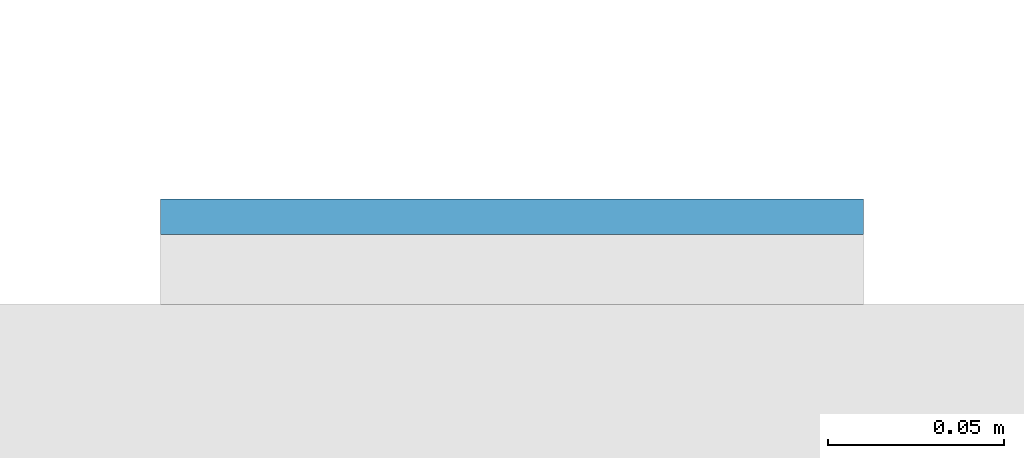
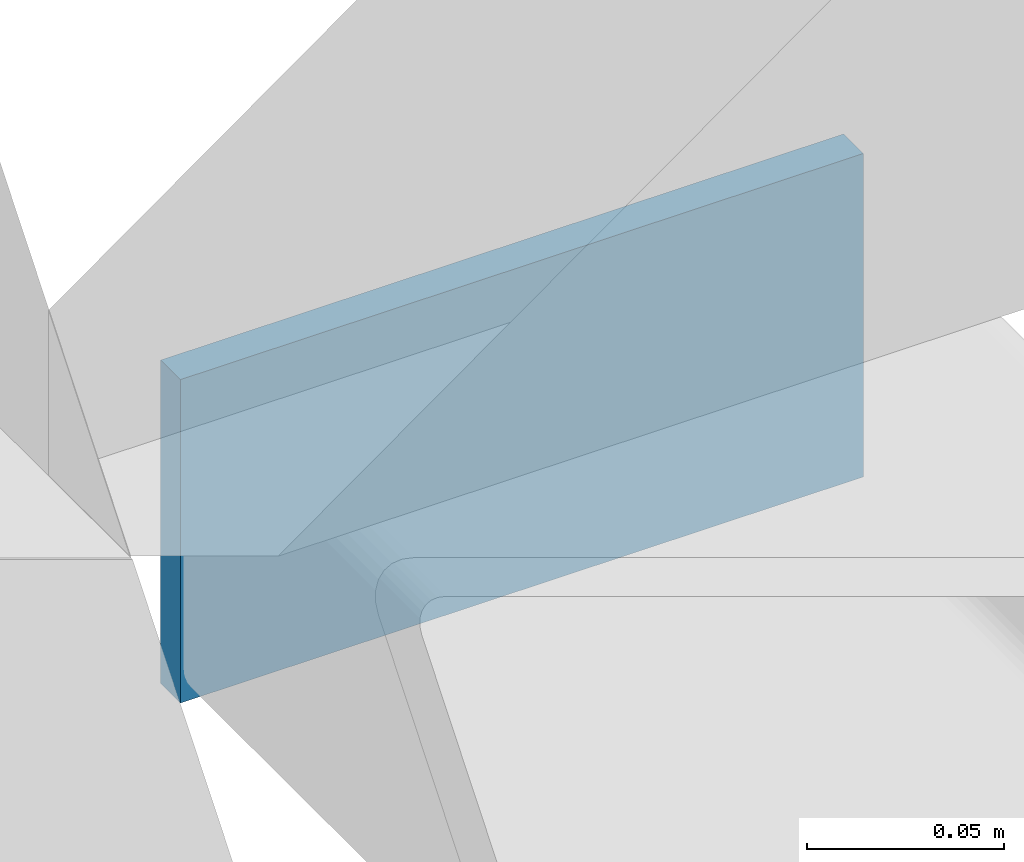
# One storey, part 11 of 21: 1 plate.
"""IFC4 building model written with IfcOpenShell, lengths in metres."""

from ifc_helpers import new_model, si_unit, direction, frame, origin, origin_2d, place, context, subcontext, project, spatial, rectangle, extrude, material, layer, layer_set, type_object, element, save


model = new_model("IFC4")

# Units and contexts
model_context = context("Model", 3, precision=1e-05, world=origin(), true_north=direction((0.0, 1.0)))
body_context = subcontext(model_context, "Body", "Model", "MODEL_VIEW")
ifc_project = project(units=[si_unit("LENGTHUNIT", "METRE"), si_unit("AREAUNIT", "SQUARE_METRE"), si_unit("VOLUMEUNIT", "CUBIC_METRE"), si_unit("PLANEANGLEUNIT", "RADIAN"), si_unit("MASSUNIT", "GRAM", prefix="KILO")], contexts=[model_context])

# Site, building, storey
site_placement = place(None, origin())
site = spatial("IfcSite", under=ifc_project, at=site_placement, CompositionType="ELEMENT")
building_placement = place(site_placement, origin())
building = spatial("IfcBuilding", under=site, at=building_placement, Name="Cleftline Residences", CompositionType="ELEMENT")
storey_placement = place(building_placement, frame((0.0, 0.0, 128.60009765625)))
storey = spatial("IfcBuildingStorey", under=building, at=storey_placement, Name="L33", CompositionType="ELEMENT", Elevation=128.60009765625)

# Plate
ifc_material = material(Name="Steel S355, hot-dip galvanised", Category="steel")
ifc_layer = layer(ifc_material, 0.010009765625)
ifc_layer_set = layer_set([ifc_layer], Name="BAGUETTE CARRIER END PLATE 200X100X10")
plate_type = type_object("IfcPlateType", Name="BAGUETTE CARRIER END PLATE 200X100X10", PredefinedType="USERDEFINED", material=ifc_layer_set)
plate_placement = place(storey_placement, frame((66.85009765625, 44.304931640625, -0.10009765625), z_axis=(0.0, 0.0, 1.0), x_axis=(1.0, 0.0, 0.0)))
element("IfcPlate", 1, at=plate_placement, inside=storey, type_object=plate_type, Name="Baguette carrier end plate", ObjectType="BAGUETTE CARRIER END PLATE", PredefinedType="USERDEFINED", context=body_context, shape_type="SweptSolid", body=[
    extrude(rectangle(XDim=0.199951171875, YDim=0.010009765625, at=origin_2d()), origin(), (0.0, 0.0, 1.0), 0.10009765625),
])

save(model, "model.ifc")
